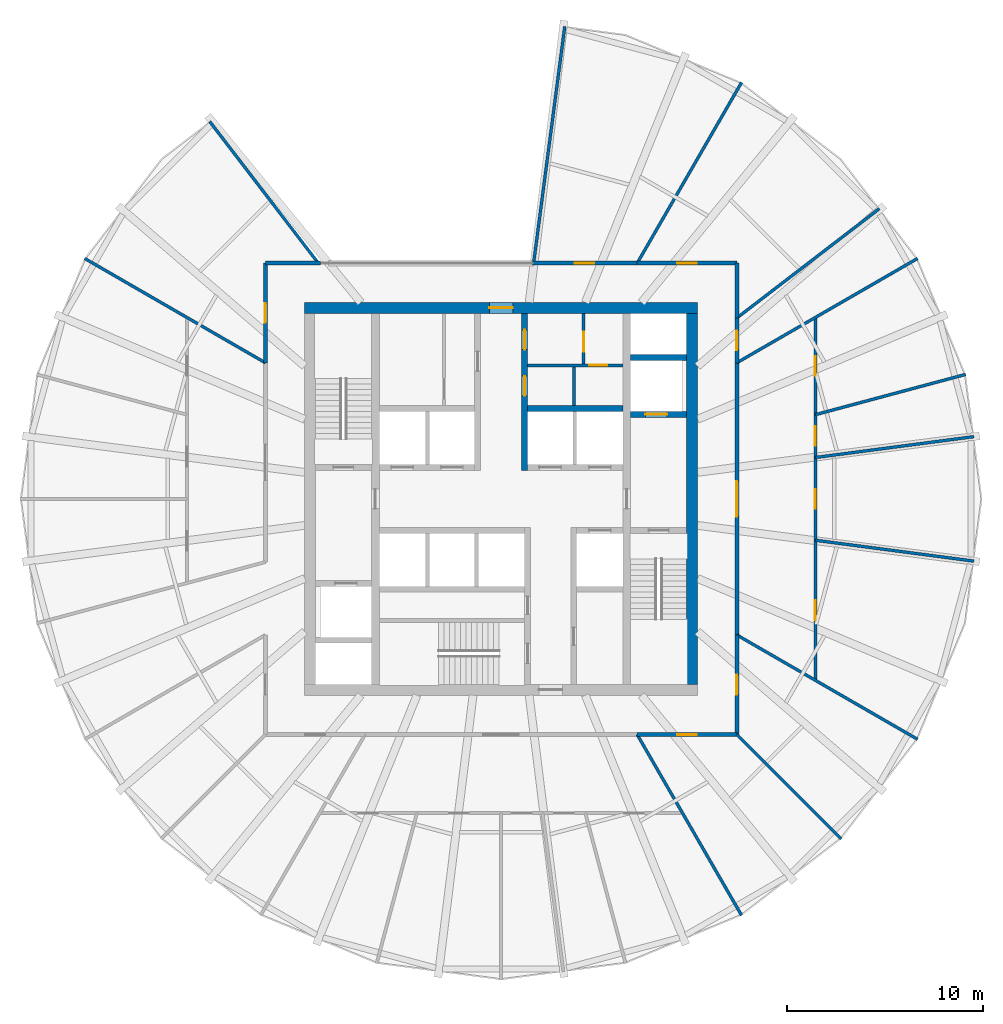
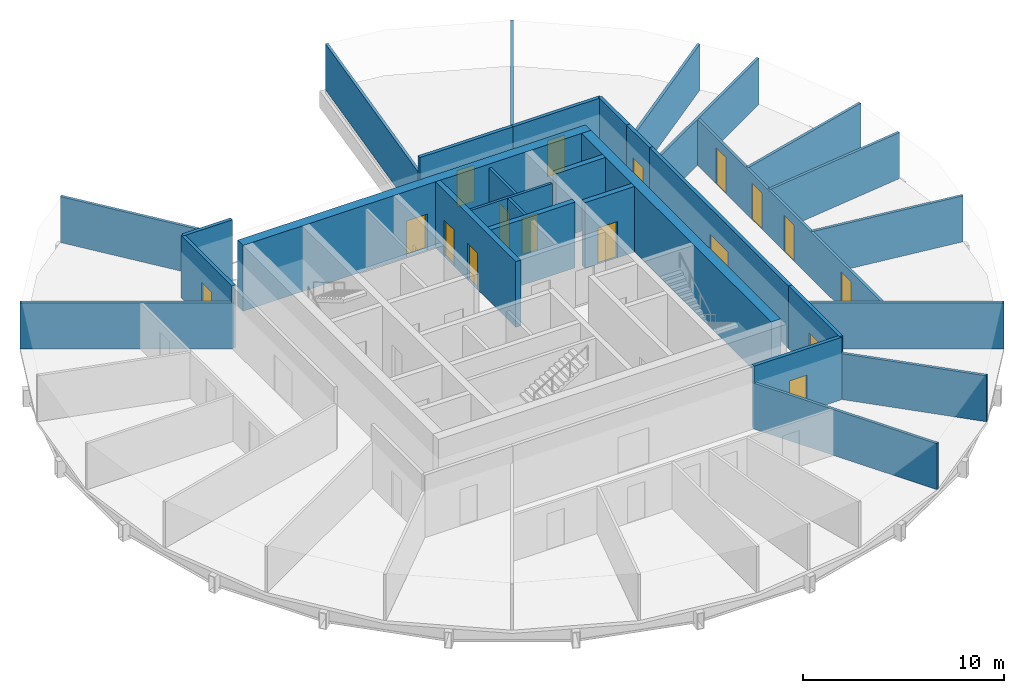
# One storey, part 4 of 6: 31 walls, 17 doors, 17 openings.
"""IFC4 building model written with IfcOpenShell, lengths in metres."""

from ifc_helpers import new_model, si_unit, direction, frame, frame_2d, origin, place, context, subcontext, project, spatial, rectangle, extrude, material, layer, layer_set, type_object, element, fill, save


model = new_model("IFC4")

# Units and contexts
model_context = context("Model", 3, precision=1e-05, world=origin(), true_north=direction((0.0, 1.0)))
body_context = subcontext(model_context, "Body", "Model", "MODEL_VIEW")
ifc_project = project(units=[si_unit("LENGTHUNIT", "METRE"), si_unit("AREAUNIT", "SQUARE_METRE"), si_unit("VOLUMEUNIT", "CUBIC_METRE"), si_unit("PLANEANGLEUNIT", "RADIAN"), si_unit("MASSUNIT", "GRAM", prefix="KILO")], contexts=[model_context])

# Site, building, storey
site_placement = place(None, origin())
site = spatial("IfcSite", under=ifc_project, at=site_placement, CompositionType="ELEMENT")
building_placement = place(site_placement, origin())
building = spatial("IfcBuilding", under=site, at=building_placement, Name="Golbaran Civic Tower", CompositionType="ELEMENT")
storey_placement = place(building_placement, frame((0.0, 0.0, 110.0)))
storey = spatial("IfcBuildingStorey", under=building, at=storey_placement, Name="L26", CompositionType="ELEMENT", Elevation=110.0)

# Wall, opening, door
ifc_material_1 = material(Name="Concrete block", Category="concrete")
ifc_layer_1 = layer(ifc_material_1, 0.14990234375, Name="Concrete block")
ifc_layer_set_1 = layer_set([ifc_layer_1], Name="Concrete block")
wall_type_1 = type_object("IfcWallType", Name="BLOCKWORK PARTITION 150", PredefinedType="PARTITIONING", material=ifc_layer_set_1)
wall_1_placement = place(storey_placement, frame((1.35009765625, 6.800048828125, 0.0), z_axis=(0.0, 0.0, 1.0), x_axis=(1.0, 0.0, 0.0)))
wall_1 = element("IfcWall", 1, at=wall_1_placement, inside=storey, type_object=wall_type_1, Name="Toilet block partition TN1 L26", PredefinedType="PARTITIONING", context=body_context, shape_type="SweptSolid", body=[
    extrude(rectangle(XDim=4.849853515625, YDim=0.14990234375, at=frame_2d((2.4248046875, 0.0))), origin(), (0.0, 0.0, 1.0), 3.75),
])
opening_1_placement = place(wall_1_placement, frame((3.14990234375, 0.0, 0.0)))
opening_1 = element("IfcOpeningElement", 2, at=opening_1_placement, cuts=wall_1, Name="Opening L26.CLN", PredefinedType="OPENING", context=body_context, shape_type="SweptSolid", body=[
    extrude(rectangle(XDim=0.89990234375, YDim=2.199951171875, at=frame_2d((0.449951171875, 1.10009765625))), frame((0.0, 0.0849609375, 0.0), z_axis=(0.0, -1.0, 0.0), x_axis=(1.0, 0.0, 0.0)), (0.0, 0.0, 1.0), 0.169921875),
])
ifc_material_2 = material(Name="Timber door set in steel frame", Category="steel")
door_type_1 = type_object("IfcDoorType", Name="RISER DOOR 900x2200", OperationType="SINGLE_SWING_LEFT", PredefinedType="DOOR", material=ifc_material_2)
door_1_placement = place(opening_1_placement, origin())
door_1 = element("IfcDoor", 3, at=door_1_placement, inside=storey, type_object=door_type_1, Name="Sanitary Supplies Store door", OperationType="SINGLE_SWING_RIGHT", OverallHeight=2.199951171875, OverallWidth=0.89990234375, PredefinedType="DOOR", context=body_context, shape_type="SweptSolid", body=[
    extrude(rectangle(XDim=0.89990234375, YDim=2.199951171875, at=frame_2d((0.449951171875, 1.10009765625))), frame((0.0, 0.02490234375, 0.0), z_axis=(0.0, -1.0, 0.0), x_axis=(1.0, 0.0, 0.0)), (0.0, 0.0, 1.0), 0.050048828125),
])
fill(opening_1, door_1)

# Wall
wall_2_placement = place(storey_placement, frame((3.699951171875, 4.75, 0.0), z_axis=(0.0, 0.0, 1.0), x_axis=(0.0, 1.0, 0.0)))
element("IfcWall", 4, at=wall_2_placement, inside=storey, type_object=wall_type_1, Name="Toilet block partition TN2 L26", PredefinedType="PARTITIONING", context=body_context, shape_type="SweptSolid", body=[
    extrude(rectangle(XDim=1.97509765625, YDim=0.14990234375, at=frame_2d((0.987548828125, 0.0))), origin(), (0.0, 0.0, 1.0), 3.75),
])

# Wall, opening, door
ifc_material_3 = material(Name="Concrete C50/60", Category="concrete")
ifc_layer_2 = layer(ifc_material_3, 0.550048828125, Name="Concrete C50/60")
ifc_layer_set_2 = layer_set([ifc_layer_2], Name="Concrete C50/60")
wall_type_2 = type_object("IfcWallType", Name="CORE WALL CONCRETE 550", PredefinedType="SOLIDWALL", material=ifc_layer_set_2)
wall_3_placement = place(storey_placement, frame((-10.0, 9.72509765625, 0.0), z_axis=(0.0, 0.0, 1.0), x_axis=(1.0, 0.0, 0.0)))
wall_3 = element("IfcWall", 5, at=wall_3_placement, inside=storey, type_object=wall_type_2, Name="Core wall CN L26", PredefinedType="SOLIDWALL", context=body_context, shape_type="SweptSolid", body=[
    extrude(rectangle(XDim=20.0, YDim=0.550048828125, at=frame_2d((10.0, 0.0))), origin(), (0.0, 0.0, 1.0), 4.0),
])
opening_2_placement = place(wall_3_placement, frame((9.39990234375, 0.0, 0.0)))
opening_2 = element("IfcOpeningElement", 6, at=opening_2_placement, cuts=wall_3, Name="Opening L26.CN", PredefinedType="OPENING", context=body_context, shape_type="SweptSolid", body=[
    extrude(rectangle(XDim=1.199951171875, YDim=2.199951171875, at=frame_2d((0.60009765625, 1.10009765625))), frame((0.0, 0.284912109375, 0.0), z_axis=(0.0, -1.0, 0.0), x_axis=(1.0, 0.0, 0.0)), (0.0, 0.0, 1.0), 0.570068359375),
])
door_type_2 = type_object("IfcDoorType", Name="CORE DOOR 1200x2200", OperationType="DOUBLE_DOOR_SINGLE_SWING", PredefinedType="DOOR", material=ifc_material_2)
door_2_placement = place(opening_2_placement, origin())
door_2 = element("IfcDoor", 7, at=door_2_placement, inside=storey, type_object=door_type_2, Name="Core door north", OperationType="DOUBLE_DOOR_SINGLE_SWING", OverallHeight=2.199951171875, OverallWidth=1.199951171875, PredefinedType="DOOR", context=body_context, shape_type="SweptSolid", body=[
    extrude(rectangle(XDim=1.199951171875, YDim=2.199951171875, at=frame_2d((0.60009765625, 1.10009765625))), frame((0.0, 0.02490234375, 0.0), z_axis=(0.0, -1.0, 0.0), x_axis=(1.0, 0.0, 0.0)), (0.0, 0.0, 1.0), 0.050048828125),
])
fill(opening_2, door_2)

# Wall
wall_4_placement = place(storey_placement, frame((9.72509765625, -9.449951171875, 0.0), z_axis=(0.0, 0.0, 1.0), x_axis=(0.0, 1.0, 0.0)))
element("IfcWall", 8, at=wall_4_placement, inside=storey, type_object=wall_type_2, Name="Core wall CE L26", PredefinedType="SOLIDWALL", context=body_context, shape_type="SweptSolid", body=[
    extrude(rectangle(XDim=18.89990234375, YDim=0.550048828125, at=frame_2d((9.449951171875, 0.0))), origin(), (0.0, 0.0, 1.0), 4.0),
])

# Wall, opening, door
ifc_material_4 = material(Name="Gypsum board on steel studs, fire-rated", Category="steel")
ifc_layer_3 = layer(ifc_material_4, 0.199951171875, Name="Gypsum board on steel studs, fire-rated")
ifc_layer_set_3 = layer_set([ifc_layer_3], Name="Gypsum board on steel studs, fire-rated")
wall_type_3 = type_object("IfcWallType", Name="CORRIDOR WALL 200", PredefinedType="PARTITIONING", material=ifc_layer_set_3)
wall_5_placement = place(storey_placement, frame((12.0, -6.92822265625, 0.0), z_axis=(0.0, 0.0, 1.0), x_axis=(0.0, 1.0, 0.0)))
wall_5 = element("IfcWall", 9, at=wall_5_placement, inside=storey, type_object=wall_type_3, Name="Corridor wall L26", PredefinedType="PARTITIONING", context=body_context, shape_type="SweptSolid", body=[
    extrude(rectangle(XDim=13.8564453125, YDim=0.199951171875, at=frame_2d((6.92822265625, 0.0))), origin(), (0.0, 0.0, 1.0), 3.800048828125),
])
opening_3_placement = place(wall_5_placement, frame((6.0283203125, 0.0, 0.0)))
opening_3 = element("IfcOpeningElement", 10, at=opening_3_placement, cuts=wall_5, Name="Opening L26.14", PredefinedType="OPENING", context=body_context, shape_type="SweptSolid", body=[
    extrude(rectangle(XDim=1.800048828125, YDim=2.199951171875, at=frame_2d((0.89990234375, 1.10009765625))), frame((0.0, 0.10986328125, 0.0), z_axis=(0.0, -1.0, 0.0), x_axis=(1.0, 0.0, 0.0)), (0.0, 0.0, 1.0), 0.219970703125),
])
door_type_3 = type_object("IfcDoorType", Name="OFFICE DOUBLE DOOR 1800x2200", OperationType="DOUBLE_DOOR_SINGLE_SWING", PredefinedType="DOOR", material=ifc_material_2)
door_3_placement = place(opening_3_placement, origin())
door_3 = element("IfcDoor", 11, at=door_3_placement, inside=storey, type_object=door_type_3, Name="Secretariat door L26", OperationType="DOUBLE_DOOR_SINGLE_SWING", OverallHeight=2.199951171875, OverallWidth=1.800048828125, PredefinedType="DOOR", context=body_context, shape_type="SweptSolid", body=[
    extrude(rectangle(XDim=1.800048828125, YDim=2.199951171875, at=frame_2d((0.89990234375, 1.10009765625))), frame((0.0, 0.02490234375, 0.0), z_axis=(0.0, -1.0, 0.0), x_axis=(1.0, 0.0, 0.0)), (0.0, 0.0, 1.0), 0.050048828125),
])
fill(opening_3, door_3)

wall_6_placement = place(storey_placement, frame((12.0, 6.92822265625, 0.0), z_axis=(0.0, 0.0, 1.0), x_axis=(0.0, 1.0, 0.0)))
wall_6 = element("IfcWall", 12, at=wall_6_placement, inside=storey, type_object=wall_type_3, Name="Corridor wall L26", PredefinedType="PARTITIONING", context=body_context, shape_type="SweptSolid", body=[
    extrude(rectangle(XDim=2.27978515625, YDim=0.199951171875, at=frame_2d((1.139892578125, 0.0))), origin(), (0.0, 0.0, 1.0), 3.800048828125),
])
opening_4_placement = place(wall_6_placement, frame((0.639892578125, 0.0, 0.0)))
opening_4 = element("IfcOpeningElement", 13, at=opening_4_placement, cuts=wall_6, Name="Opening L26.15", PredefinedType="OPENING", context=body_context, shape_type="SweptSolid", body=[
    extrude(rectangle(XDim=1.0, YDim=2.199951171875, at=frame_2d((0.5, 1.10009765625))), frame((0.0, 0.10986328125, 0.0), z_axis=(0.0, -1.0, 0.0), x_axis=(1.0, 0.0, 0.0)), (0.0, 0.0, 1.0), 0.219970703125),
])
door_type_4 = type_object("IfcDoorType", Name="OFFICE DOOR 1000x2200", OperationType="SINGLE_SWING_LEFT", PredefinedType="DOOR", material=ifc_material_2)
door_4_placement = place(opening_4_placement, origin())
door_4 = element("IfcDoor", 14, at=door_4_placement, inside=storey, type_object=door_type_4, Name="Pantry door L26", OperationType="SINGLE_SWING_LEFT", OverallHeight=2.199951171875, OverallWidth=1.0, PredefinedType="DOOR", context=body_context, shape_type="SweptSolid", body=[
    extrude(rectangle(XDim=1.0, YDim=2.199951171875, at=frame_2d((0.5, 1.10009765625))), frame((0.0, 0.02490234375, 0.0), z_axis=(0.0, -1.0, 0.0), x_axis=(1.0, 0.0, 0.0)), (0.0, 0.0, 1.0), 0.050048828125),
])
fill(opening_4, door_4)

# Wall
wall_7_placement = place(storey_placement, frame((12.0, 9.2080078125, 0.0), z_axis=(0.0, 0.0, 1.0), x_axis=(0.0, 1.0, 0.0)))
element("IfcWall", 15, at=wall_7_placement, inside=storey, type_object=wall_type_3, Name="Corridor wall L26", PredefinedType="PARTITIONING", context=body_context, shape_type="SweptSolid", body=[
    extrude(rectangle(XDim=2.7919921875, YDim=0.199951171875, at=frame_2d((1.39599609375, 0.0))), origin(), (0.0, 0.0, 1.0), 3.800048828125),
])

# Wall, opening, door
wall_8_placement = place(storey_placement, frame((12.0, 12.0, 0.0), z_axis=(0.0, 0.0, 1.0), x_axis=(-1.0, 0.0, 0.0)))
wall_8 = element("IfcWall", 16, at=wall_8_placement, inside=storey, type_object=wall_type_3, Name="Corridor wall L26", PredefinedType="PARTITIONING", context=body_context, shape_type="SweptSolid", body=[
    extrude(rectangle(XDim=5.07177734375, YDim=0.199951171875, at=frame_2d((2.535888671875, 0.0))), origin(), (0.0, 0.0, 1.0), 3.800048828125),
])
opening_5_placement = place(wall_8_placement, frame((2.035888671875, 0.0, 0.0)))
opening_5 = element("IfcOpeningElement", 17, at=opening_5_placement, cuts=wall_8, Name="Opening L26.16", PredefinedType="OPENING", context=body_context, shape_type="SweptSolid", body=[
    extrude(rectangle(XDim=1.0, YDim=2.199951171875, at=frame_2d((0.5, 1.10009765625))), frame((0.0, 0.10986328125, 0.0), z_axis=(0.0, -1.0, 0.0), x_axis=(1.0, 0.0, 0.0)), (0.0, 0.0, 1.0), 0.219970703125),
])
door_5_placement = place(opening_5_placement, origin())
door_5 = element("IfcDoor", 18, at=door_5_placement, inside=storey, type_object=door_type_4, Name="Prayer Room door L26", OperationType="SINGLE_SWING_RIGHT", OverallHeight=2.199951171875, OverallWidth=1.0, PredefinedType="DOOR", context=body_context, shape_type="SweptSolid", body=[
    extrude(rectangle(XDim=1.0, YDim=2.199951171875, at=frame_2d((0.5, 1.10009765625))), frame((0.0, 0.02490234375, 0.0), z_axis=(0.0, -1.0, 0.0), x_axis=(1.0, 0.0, 0.0)), (0.0, 0.0, 1.0), 0.050048828125),
])
fill(opening_5, door_5)

wall_9_placement = place(storey_placement, frame((6.92822265625, 12.0, 0.0), z_axis=(0.0, 0.0, 1.0), x_axis=(-1.0, 0.0, 0.0)))
wall_9 = element("IfcWall", 19, at=wall_9_placement, inside=storey, type_object=wall_type_3, Name="Corridor wall L26", PredefinedType="PARTITIONING", context=body_context, shape_type="SweptSolid", body=[
    extrude(rectangle(XDim=5.348876953125, YDim=0.199951171875, at=frame_2d((2.67431640625, 0.0))), origin(), (0.0, 0.0, 1.0), 3.800048828125),
])
opening_6_placement = place(wall_9_placement, frame((2.17431640625, 0.0, 0.0)))
opening_6 = element("IfcOpeningElement", 20, at=opening_6_placement, cuts=wall_9, Name="Opening L26.17", PredefinedType="OPENING", context=body_context, shape_type="SweptSolid", body=[
    extrude(rectangle(XDim=1.0, YDim=2.199951171875, at=frame_2d((0.5, 1.10009765625))), frame((0.0, 0.10986328125, 0.0), z_axis=(0.0, -1.0, 0.0), x_axis=(1.0, 0.0, 0.0)), (0.0, 0.0, 1.0), 0.219970703125),
])
door_6_placement = place(opening_6_placement, origin())
door_6 = element("IfcDoor", 21, at=door_6_placement, inside=storey, type_object=door_type_4, Name="Meeting Room door L26", OperationType="SINGLE_SWING_RIGHT", OverallHeight=2.199951171875, OverallWidth=1.0, PredefinedType="DOOR", context=body_context, shape_type="SweptSolid", body=[
    extrude(rectangle(XDim=1.0, YDim=2.199951171875, at=frame_2d((0.5, 1.10009765625))), frame((0.0, 0.02490234375, 0.0), z_axis=(0.0, -1.0, 0.0), x_axis=(1.0, 0.0, 0.0)), (0.0, 0.0, 1.0), 0.050048828125),
])
fill(opening_6, door_6)

# Wall
wall_10_placement = place(storey_placement, frame((-9.207275390625, 12.0, 0.0), z_axis=(0.0, 0.0, 1.0), x_axis=(-1.0, 0.0, 0.0)))
element("IfcWall", 22, at=wall_10_placement, inside=storey, type_object=wall_type_3, Name="Corridor wall L26", PredefinedType="PARTITIONING", context=body_context, shape_type="SweptSolid", body=[
    extrude(rectangle(XDim=2.792724609375, YDim=0.199951171875, at=frame_2d((1.396484375, 0.0))), origin(), (0.0, 0.0, 1.0), 3.800048828125),
])

# Wall, opening, door
wall_11_placement = place(storey_placement, frame((-12.0, 12.0, 0.0), z_axis=(0.0, 0.0, 1.0), x_axis=(0.0, -1.0, 0.0)))
wall_11 = element("IfcWall", 23, at=wall_11_placement, inside=storey, type_object=wall_type_3, Name="Corridor wall L26", PredefinedType="PARTITIONING", context=body_context, shape_type="SweptSolid", body=[
    extrude(rectangle(XDim=5.07177734375, YDim=0.199951171875, at=frame_2d((2.535888671875, 0.0))), origin(), (0.0, 0.0, 1.0), 3.800048828125),
])
opening_7_placement = place(wall_11_placement, frame((2.035888671875, 0.0, 0.0)))
opening_7 = element("IfcOpeningElement", 24, at=opening_7_placement, cuts=wall_11, Name="Opening L26.18", PredefinedType="OPENING", context=body_context, shape_type="SweptSolid", body=[
    extrude(rectangle(XDim=1.0, YDim=2.199951171875, at=frame_2d((0.5, 1.10009765625))), frame((0.0, 0.10986328125, 0.0), z_axis=(0.0, -1.0, 0.0), x_axis=(1.0, 0.0, 0.0)), (0.0, 0.0, 1.0), 0.219970703125),
])
door_7_placement = place(opening_7_placement, origin())
door_7 = element("IfcDoor", 25, at=door_7_placement, inside=storey, type_object=door_type_4, Name="Quiet Room door L26", OperationType="SINGLE_SWING_RIGHT", OverallHeight=2.199951171875, OverallWidth=1.0, PredefinedType="DOOR", context=body_context, shape_type="SweptSolid", body=[
    extrude(rectangle(XDim=1.0, YDim=2.199951171875, at=frame_2d((0.5, 1.10009765625))), frame((0.0, 0.02490234375, 0.0), z_axis=(0.0, -1.0, 0.0), x_axis=(1.0, 0.0, 0.0)), (0.0, 0.0, 1.0), 0.050048828125),
])
fill(opening_7, door_7)

wall_12_placement = place(storey_placement, frame((6.92822265625, -12.0, 0.0), z_axis=(0.0, 0.0, 1.0), x_axis=(1.0, 0.0, 0.0)))
wall_12 = element("IfcWall", 26, at=wall_12_placement, inside=storey, type_object=wall_type_3, Name="Corridor wall L26", PredefinedType="PARTITIONING", context=body_context, shape_type="SweptSolid", body=[
    extrude(rectangle(XDim=5.07177734375, YDim=0.199951171875, at=frame_2d((2.535888671875, 0.0))), origin(), (0.0, 0.0, 1.0), 3.800048828125),
])
opening_8_placement = place(wall_12_placement, frame((2.035888671875, 0.0, 0.0)))
opening_8 = element("IfcOpeningElement", 27, at=opening_8_placement, cuts=wall_12, Name="Opening L26.23", PredefinedType="OPENING", context=body_context, shape_type="SweptSolid", body=[
    extrude(rectangle(XDim=1.0, YDim=2.199951171875, at=frame_2d((0.5, 1.10009765625))), frame((0.0, 0.10986328125, 0.0), z_axis=(0.0, -1.0, 0.0), x_axis=(1.0, 0.0, 0.0)), (0.0, 0.0, 1.0), 0.219970703125),
])
door_8_placement = place(opening_8_placement, origin())
door_8 = element("IfcDoor", 28, at=door_8_placement, inside=storey, type_object=door_type_4, Name="Print and Copy Room door L26", OperationType="SINGLE_SWING_LEFT", OverallHeight=2.199951171875, OverallWidth=1.0, PredefinedType="DOOR", context=body_context, shape_type="SweptSolid", body=[
    extrude(rectangle(XDim=1.0, YDim=2.199951171875, at=frame_2d((0.5, 1.10009765625))), frame((0.0, 0.02490234375, 0.0), z_axis=(0.0, -1.0, 0.0), x_axis=(1.0, 0.0, 0.0)), (0.0, 0.0, 1.0), 0.050048828125),
])
fill(opening_8, door_8)

wall_13_placement = place(storey_placement, frame((12.0, -12.0, 0.0), z_axis=(0.0, 0.0, 1.0), x_axis=(0.0, 1.0, 0.0)))
wall_13 = element("IfcWall", 29, at=wall_13_placement, inside=storey, type_object=wall_type_3, Name="Corridor wall L26", PredefinedType="PARTITIONING", context=body_context, shape_type="SweptSolid", body=[
    extrude(rectangle(XDim=5.07177734375, YDim=0.199951171875, at=frame_2d((2.535888671875, 0.0))), origin(), (0.0, 0.0, 1.0), 3.800048828125),
])
opening_9_placement = place(wall_13_placement, frame((2.035888671875, 0.0, 0.0)))
opening_9 = element("IfcOpeningElement", 30, at=opening_9_placement, cuts=wall_13, Name="Opening L26.24", PredefinedType="OPENING", context=body_context, shape_type="SweptSolid", body=[
    extrude(rectangle(XDim=1.0, YDim=2.199951171875, at=frame_2d((0.5, 1.10009765625))), frame((0.0, 0.10986328125, 0.0), z_axis=(0.0, -1.0, 0.0), x_axis=(1.0, 0.0, 0.0)), (0.0, 0.0, 1.0), 0.219970703125),
])
door_9_placement = place(opening_9_placement, origin())
door_9 = element("IfcDoor", 31, at=door_9_placement, inside=storey, type_object=door_type_4, Name="File Room door L26", OperationType="SINGLE_SWING_LEFT", OverallHeight=2.199951171875, OverallWidth=1.0, PredefinedType="DOOR", context=body_context, shape_type="SweptSolid", body=[
    extrude(rectangle(XDim=1.0, YDim=2.199951171875, at=frame_2d((0.5, 1.10009765625))), frame((0.0, 0.02490234375, 0.0), z_axis=(0.0, -1.0, 0.0), x_axis=(1.0, 0.0, 0.0)), (0.0, 0.0, 1.0), 0.050048828125),
])
fill(opening_9, door_9)

# Walls
ifc_material_5 = material(Name="Gypsum board on steel studs", Category="steel")
ifc_layer_4 = layer(ifc_material_5, 0.14990234375, Name="Gypsum board on steel studs")
ifc_layer_set_4 = layer_set([ifc_layer_4], Name="Gypsum board on steel studs")
wall_type_4 = type_object("IfcWallType", Name="OFFICE PARTITION 150", PredefinedType="PARTITIONING", material=ifc_layer_set_4)
for number, where, z_axis, x_axis, name in (
    (32, (12.0, -6.92822265625, 0.0), (0.0, 0.0, 1.0), (0.866024197053, -0.500002090115, 0.0), "Partition 330 L26"),
    (33, (12.0, 6.92822265625, 0.0), (0.0, 0.0, 1.0), (0.866024197053, 0.500002090115, 0.0), "Partition 30 L26"),
):
    element("IfcWall", number, at=place(storey_placement, frame(where, z_axis=z_axis, x_axis=x_axis)), inside=storey, type_object=wall_type_4, Name=name, PredefinedType="PARTITIONING", context=body_context, shape_type="SweptSolid", body=[
        extrude(rectangle(XDim=10.630859375, YDim=0.14990234375, at=frame_2d((5.3154296875, 0.0))), origin(), (0.0, 0.0, 1.0), 2.7900390625),
    ])
wall_14_placement = place(storey_placement, frame((12.0, 9.2080078125, 0.0), z_axis=(0.0, 0.0, 1.0), x_axis=(0.793357264949, 0.608756314261, 0.0)))
element("IfcWall", 34, at=wall_14_placement, inside=storey, type_object=wall_type_4, Name="Partition 37.5 L26", PredefinedType="PARTITIONING", context=body_context, shape_type="SweptSolid", body=[
    extrude(rectangle(XDim=9.15185546875, YDim=0.14990234375, at=frame_2d((4.575927734375, 0.0))), origin(), (0.0, 0.0, 1.0), 2.7900390625),
])
wall_15_placement = place(storey_placement, frame((6.92822265625, 12.0, 0.0), z_axis=(0.0, 0.0, 1.0), x_axis=(0.500002090115, 0.866024197053, 0.0)))
element("IfcWall", 35, at=wall_15_placement, inside=storey, type_object=wall_type_4, Name="Partition 60 L26", PredefinedType="PARTITIONING", context=body_context, shape_type="SweptSolid", body=[
    extrude(rectangle(XDim=10.630859375, YDim=0.14990234375, at=frame_2d((5.3154296875, 0.0))), origin(), (0.0, 0.0, 1.0), 2.7900390625),
])
wall_16_placement = place(storey_placement, frame((1.65380859375, 11.990234375, 0.0), z_axis=(0.0, 0.0, 1.0), x_axis=(0.130491344121, 0.99144944859, 0.0)))
element("IfcWall", 36, at=wall_16_placement, inside=storey, type_object=wall_type_4, Name="Partition 82.5018 L26", PredefinedType="PARTITIONING", context=body_context, shape_type="SweptSolid", body=[
    extrude(rectangle(XDim=12.174072265625, YDim=0.14990234375, at=frame_2d((6.0869140625, 0.0))), origin(), (0.0, 0.0, 1.0), 2.7900390625),
])
wall_17_placement = place(storey_placement, frame((-9.266845703125, 11.954345703125, 0.0), z_axis=(0.0, 0.0, 1.0), x_axis=(-0.60873054766, 0.793377035429, 0.0)))
element("IfcWall", 37, at=wall_17_placement, inside=storey, type_object=wall_type_4, Name="Partition 127.498 L26", PredefinedType="PARTITIONING", context=body_context, shape_type="SweptSolid", body=[
    extrude(rectangle(XDim=9.15234375, YDim=0.14990234375, at=frame_2d((4.576171875, 0.0))), origin(), (0.0, 0.0, 1.0), 2.7900390625),
])
for number, where, z_axis, x_axis, name in (
    (38, (-12.0, 6.92822265625, 0.0), (0.0, 0.0, 1.0), (-0.866024197053, 0.500002090115, 0.0), "Partition 150 L26"),
    (39, (6.92822265625, -12.0, 0.0), (0.0, 0.0, 1.0), (0.500002090115, -0.866024197053, 0.0), "Partition 300 L26"),
):
    element("IfcWall", number, at=place(storey_placement, frame(where, z_axis=z_axis, x_axis=x_axis)), inside=storey, type_object=wall_type_4, Name=name, PredefinedType="PARTITIONING", context=body_context, shape_type="SweptSolid", body=[
        extrude(rectangle(XDim=10.630859375, YDim=0.14990234375, at=frame_2d((5.3154296875, 0.0))), origin(), (0.0, 0.0, 1.0), 2.7900390625),
    ])
wall_18_placement = place(storey_placement, frame((12.0, -12.0, 0.0), z_axis=(0.0, 0.0, 1.0), x_axis=(0.707106781187, -0.707106781187, 0.0)))
element("IfcWall", 40, at=wall_18_placement, inside=storey, type_object=wall_type_4, Name="Partition 315 L26", PredefinedType="PARTITIONING", context=body_context, shape_type="SweptSolid", body=[
    extrude(rectangle(XDim=7.516845703125, YDim=0.14990234375, at=frame_2d((3.75830078125, 0.0))), origin(), (0.0, 0.0, 1.0), 2.7900390625),
])

# Wall, openings, doors
wall_19_placement = place(storey_placement, frame((16.0, -9.237548828125, 0.0), z_axis=(0.0, 0.0, 1.0), x_axis=(0.0, 1.0, 0.0)))
wall_19 = element("IfcWall", 41, at=wall_19_placement, inside=storey, type_object=wall_type_4, Name="Suite partition L26", PredefinedType="PARTITIONING", context=body_context, shape_type="SweptSolid", body=[
    extrude(rectangle(XDim=18.47509765625, YDim=0.14990234375, at=frame_2d((9.237548828125, 0.0))), origin(), (0.0, 0.0, 1.0), 2.7900390625),
])
opening_10_placement = place(wall_19_placement, frame((3.065673828125, 0.0, 0.0)))
opening_10 = element("IfcOpeningElement", 42, at=opening_10_placement, cuts=wall_19, Name="Opening L26.01", PredefinedType="OPENING", context=body_context, shape_type="SweptSolid", body=[
    extrude(rectangle(XDim=1.0, YDim=2.199951171875, at=frame_2d((0.5, 1.10009765625))), frame((0.0, 0.0849609375, 0.0), z_axis=(0.0, -1.0, 0.0), x_axis=(1.0, 0.0, 0.0)), (0.0, 0.0, 1.0), 0.169921875),
])
opening_11_placement = place(wall_19_placement, frame((8.737548828125, 0.0, 0.0)))
opening_11 = element("IfcOpeningElement", 43, at=opening_11_placement, cuts=wall_19, Name="Opening L26.02", PredefinedType="OPENING", context=body_context, shape_type="SweptSolid", body=[
    extrude(rectangle(XDim=1.0, YDim=2.199951171875, at=frame_2d((0.5, 1.10009765625))), frame((0.0, 0.0849609375, 0.0), z_axis=(0.0, -1.0, 0.0), x_axis=(1.0, 0.0, 0.0)), (0.0, 0.0, 1.0), 0.169921875),
])
opening_12_placement = place(wall_19_placement, frame((11.934326171875, 0.0, 0.0)))
opening_12 = element("IfcOpeningElement", 44, at=opening_12_placement, cuts=wall_19, Name="Opening L26.03", PredefinedType="OPENING", context=body_context, shape_type="SweptSolid", body=[
    extrude(rectangle(XDim=1.0, YDim=2.199951171875, at=frame_2d((0.5, 1.10009765625))), frame((0.0, 0.0849609375, 0.0), z_axis=(0.0, -1.0, 0.0), x_axis=(1.0, 0.0, 0.0)), (0.0, 0.0, 1.0), 0.169921875),
])
opening_13_placement = place(wall_19_placement, frame((15.5, 0.0, 0.0)))
opening_13 = element("IfcOpeningElement", 45, at=opening_13_placement, cuts=wall_19, Name="Opening L26.04", PredefinedType="OPENING", context=body_context, shape_type="SweptSolid", body=[
    extrude(rectangle(XDim=1.0, YDim=2.199951171875, at=frame_2d((0.5, 1.10009765625))), frame((0.0, 0.0849609375, 0.0), z_axis=(0.0, -1.0, 0.0), x_axis=(1.0, 0.0, 0.0)), (0.0, 0.0, 1.0), 0.169921875),
])
door_10_placement = place(opening_10_placement, origin())
door_10 = element("IfcDoor", 46, at=door_10_placement, inside=storey, type_object=door_type_4, Name="Director's Office door L26", OperationType="SINGLE_SWING_LEFT", OverallHeight=2.199951171875, OverallWidth=1.0, PredefinedType="DOOR", context=body_context, shape_type="SweptSolid", body=[
    extrude(rectangle(XDim=1.0, YDim=2.199951171875, at=frame_2d((0.5, 1.10009765625))), frame((0.0, 0.02490234375, 0.0), z_axis=(0.0, -1.0, 0.0), x_axis=(1.0, 0.0, 0.0)), (0.0, 0.0, 1.0), 0.050048828125),
])
fill(opening_10, door_10)
door_11_placement = place(opening_11_placement, origin())
door_11 = element("IfcDoor", 47, at=door_11_placement, inside=storey, type_object=door_type_4, Name="Director's Office door L26", OperationType="SINGLE_SWING_LEFT", OverallHeight=2.199951171875, OverallWidth=1.0, PredefinedType="DOOR", context=body_context, shape_type="SweptSolid", body=[
    extrude(rectangle(XDim=1.0, YDim=2.199951171875, at=frame_2d((0.5, 1.10009765625))), frame((0.0, 0.02490234375, 0.0), z_axis=(0.0, -1.0, 0.0), x_axis=(1.0, 0.0, 0.0)), (0.0, 0.0, 1.0), 0.050048828125),
])
fill(opening_11, door_11)
door_12_placement = place(opening_12_placement, origin())
door_12 = element("IfcDoor", 48, at=door_12_placement, inside=storey, type_object=door_type_4, Name="Office door L26", OperationType="SINGLE_SWING_RIGHT", OverallHeight=2.199951171875, OverallWidth=1.0, PredefinedType="DOOR", context=body_context, shape_type="SweptSolid", body=[
    extrude(rectangle(XDim=1.0, YDim=2.199951171875, at=frame_2d((0.5, 1.10009765625))), frame((0.0, 0.02490234375, 0.0), z_axis=(0.0, -1.0, 0.0), x_axis=(1.0, 0.0, 0.0)), (0.0, 0.0, 1.0), 0.050048828125),
])
fill(opening_12, door_12)
door_13_placement = place(opening_13_placement, origin())
door_13 = element("IfcDoor", 49, at=door_13_placement, inside=storey, type_object=door_type_4, Name="Office door L26", OperationType="SINGLE_SWING_RIGHT", OverallHeight=2.199951171875, OverallWidth=1.0, PredefinedType="DOOR", context=body_context, shape_type="SweptSolid", body=[
    extrude(rectangle(XDim=1.0, YDim=2.199951171875, at=frame_2d((0.5, 1.10009765625))), frame((0.0, 0.02490234375, 0.0), z_axis=(0.0, -1.0, 0.0), x_axis=(1.0, 0.0, 0.0)), (0.0, 0.0, 1.0), 0.050048828125),
])
fill(opening_13, door_13)

# Walls
for number, where, z_axis, x_axis, name in (
    (50, (16.0, -2.1064453125, 0.0), (0.0, 0.0, 1.0), (0.99144398145, -0.13053287573, 0.0), "Partition 352.5 L26"),
    (51, (16.0, 2.1064453125, 0.0), (0.0, 0.0, 1.0), (0.99144398145, 0.13053287573, 0.0), "Partition 7.5 L26"),
):
    element("IfcWall", number, at=place(storey_placement, frame(where, z_axis=z_axis, x_axis=x_axis)), inside=storey, type_object=wall_type_4, Name=name, PredefinedType="PARTITIONING", context=body_context, shape_type="SweptSolid", body=[
        extrude(rectangle(XDim=8.1396484375, YDim=0.14990234375, at=frame_2d((4.06982421875, 0.0))), origin(), (0.0, 0.0, 1.0), 2.7900390625),
    ])
wall_20_placement = place(storey_placement, frame((16.0, 4.287109375, 0.0), z_axis=(0.0, 0.0, 1.0), x_axis=(0.965926869261, 0.258815152648, 0.0)))
element("IfcWall", 52, at=wall_20_placement, inside=storey, type_object=wall_type_4, Name="Partition 15 L26", PredefinedType="PARTITIONING", context=body_context, shape_type="SweptSolid", body=[
    extrude(rectangle(XDim=7.9228515625, YDim=0.14990234375, at=frame_2d((3.96142578125, 0.0))), origin(), (0.0, 0.0, 1.0), 2.7900390625),
])
ifc_layer_5 = layer(ifc_material_3, 0.300048828125, Name="Concrete C50/60")
ifc_layer_set_5 = layer_set([ifc_layer_5], Name="Concrete C50/60")
wall_type_5 = type_object("IfcWallType", Name="SHAFT WALL CONCRETE 300", PredefinedType="SOLIDWALL", material=ifc_layer_set_5)
wall_21_placement = place(storey_placement, frame((1.35009765625, 4.60009765625, 0.0), z_axis=(0.0, 0.0, 1.0), x_axis=(1.0, 0.0, 0.0)))
element("IfcWall", 53, at=wall_21_placement, inside=storey, type_object=wall_type_5, Name="Core wall BNE L26", PredefinedType="SOLIDWALL", context=body_context, shape_type="SweptSolid", body=[
    extrude(rectangle(XDim=4.849853515625, YDim=0.300048828125, at=frame_2d((2.4248046875, 0.0))), origin(), (0.0, 0.0, 1.0), 4.0),
])

# Wall, openings, doors
wall_22_placement = place(storey_placement, frame((1.199951171875, 1.449951171875, 0.0), z_axis=(0.0, 0.0, 1.0), x_axis=(0.0, 1.0, 0.0)))
wall_22 = element("IfcWall", 54, at=wall_22_placement, inside=storey, type_object=wall_type_5, Name="Core wall PNE L26", PredefinedType="SOLIDWALL", context=body_context, shape_type="SweptSolid", body=[
    extrude(rectangle(XDim=8.0, YDim=0.300048828125, at=frame_2d((4.0, 0.0))), origin(), (0.0, 0.0, 1.0), 4.0),
])
opening_14_placement = place(wall_22_placement, frame((3.800048828125, 0.0, 0.0)))
opening_14 = element("IfcOpeningElement", 55, at=opening_14_placement, cuts=wall_22, Name="Opening L26.WCA", PredefinedType="OPENING", context=body_context, shape_type="SweptSolid", body=[
    extrude(rectangle(XDim=1.0, YDim=2.199951171875, at=frame_2d((0.5, 1.10009765625))), frame((0.0, 0.159912109375, 0.0), z_axis=(0.0, -1.0, 0.0), x_axis=(1.0, 0.0, 0.0)), (0.0, 0.0, 1.0), 0.320068359375),
])
opening_15_placement = place(wall_22_placement, frame((6.14990234375, 0.0, 0.0)))
opening_15 = element("IfcOpeningElement", 56, at=opening_15_placement, cuts=wall_22, Name="Opening L26.WCF", PredefinedType="OPENING", context=body_context, shape_type="SweptSolid", body=[
    extrude(rectangle(XDim=1.0, YDim=2.199951171875, at=frame_2d((0.5, 1.10009765625))), frame((0.0, 0.159912109375, 0.0), z_axis=(0.0, -1.0, 0.0), x_axis=(1.0, 0.0, 0.0)), (0.0, 0.0, 1.0), 0.320068359375),
])
door_type_5 = type_object("IfcDoorType", Name="TOILET DOOR 1000x2200", OperationType="SINGLE_SWING_LEFT", PredefinedType="DOOR", material=ifc_material_2)
door_14_placement = place(opening_14_placement, origin())
door_14 = element("IfcDoor", 57, at=door_14_placement, inside=storey, type_object=door_type_5, Name="Accessible WC door", OperationType="SINGLE_SWING_RIGHT", OverallHeight=2.199951171875, OverallWidth=1.0, PredefinedType="DOOR", context=body_context, shape_type="SweptSolid", body=[
    extrude(rectangle(XDim=1.0, YDim=2.199951171875, at=frame_2d((0.5, 1.10009765625))), frame((0.0, 0.02490234375, 0.0), z_axis=(0.0, -1.0, 0.0), x_axis=(1.0, 0.0, 0.0)), (0.0, 0.0, 1.0), 0.050048828125),
])
fill(opening_14, door_14)
door_15_placement = place(opening_15_placement, origin())
door_15 = element("IfcDoor", 58, at=door_15_placement, inside=storey, type_object=door_type_5, Name="North-east toilet block door", OperationType="SINGLE_SWING_RIGHT", OverallHeight=2.199951171875, OverallWidth=1.0, PredefinedType="DOOR", context=body_context, shape_type="SweptSolid", body=[
    extrude(rectangle(XDim=1.0, YDim=2.199951171875, at=frame_2d((0.5, 1.10009765625))), frame((0.0, 0.02490234375, 0.0), z_axis=(0.0, -1.0, 0.0), x_axis=(1.0, 0.0, 0.0)), (0.0, 0.0, 1.0), 0.050048828125),
])
fill(opening_15, door_15)

# Wall, opening, door
wall_23_placement = place(storey_placement, frame((6.60009765625, 4.300048828125, 0.0), z_axis=(0.0, 0.0, 1.0), x_axis=(1.0, 0.0, 0.0)))
wall_23 = element("IfcWall", 59, at=wall_23_placement, inside=storey, type_object=wall_type_5, Name="Core wall XE2 L26", PredefinedType="SOLIDWALL", context=body_context, shape_type="SweptSolid", body=[
    extrude(rectangle(XDim=2.849853515625, YDim=0.300048828125, at=frame_2d((1.4248046875, 0.0))), origin(), (0.0, 0.0, 1.0), 4.0),
])
opening_16_placement = place(wall_23_placement, frame((0.75, 0.0, 0.0)))
opening_16 = element("IfcOpeningElement", 60, at=opening_16_placement, cuts=wall_23, Name="Opening L26.LD-F2", PredefinedType="OPENING", context=body_context, shape_type="SweptSolid", body=[
    extrude(rectangle(XDim=1.10009765625, YDim=2.199951171875, at=frame_2d((0.550048828125, 1.10009765625))), frame((0.0, 0.159912109375, 0.0), z_axis=(0.0, -1.0, 0.0), x_axis=(1.0, 0.0, 0.0)), (0.0, 0.0, 1.0), 0.320068359375),
])
ifc_material_6 = material(Name="Stainless steel", Category="steel")
door_type_6 = type_object("IfcDoorType", Name="LIFT LANDING DOOR 1100x2200", OperationType="SLIDING_TO_LEFT", PredefinedType="DOOR", material=ifc_material_6)
door_16_placement = place(opening_16_placement, origin())
door_16 = element("IfcDoor", 61, at=door_16_placement, inside=storey, type_object=door_type_6, Name="Lift landing door F2", OperationType="SLIDING_TO_LEFT", OverallHeight=2.199951171875, OverallWidth=1.10009765625, PredefinedType="DOOR", context=body_context, shape_type="SweptSolid", body=[
    extrude(rectangle(XDim=1.10009765625, YDim=2.199951171875, at=frame_2d((0.550048828125, 1.10009765625))), frame((0.0, 0.02490234375, 0.0), z_axis=(0.0, -1.0, 0.0), x_axis=(1.0, 0.0, 0.0)), (0.0, 0.0, 1.0), 0.050048828125),
])
fill(opening_16, door_16)

# Wall
wall_24_placement = place(storey_placement, frame((6.60009765625, 7.199951171875, 0.0), z_axis=(0.0, 0.0, 1.0), x_axis=(1.0, 0.0, 0.0)))
element("IfcWall", 62, at=wall_24_placement, inside=storey, type_object=wall_type_5, Name="Core wall XE3 L26", PredefinedType="SOLIDWALL", context=body_context, shape_type="SweptSolid", body=[
    extrude(rectangle(XDim=2.849853515625, YDim=0.300048828125, at=frame_2d((1.4248046875, 0.0))), origin(), (0.0, 0.0, 1.0), 4.0),
])

# Wall, opening, door
ifc_material_7 = material(Name="Moisture-resistant gypsum board on steel studs", Category="steel")
ifc_layer_6 = layer(ifc_material_7, 0.14990234375, Name="Moisture-resistant gypsum board on steel studs")
ifc_layer_set_6 = layer_set([ifc_layer_6], Name="Moisture-resistant gypsum board on steel studs")
wall_type_6 = type_object("IfcWallType", Name="TOILET BLOCK PARTITION 150", PredefinedType="PARTITIONING", material=ifc_layer_set_6)
wall_25_placement = place(storey_placement, frame((4.199951171875, 6.875, 0.0), z_axis=(0.0, 0.0, 1.0), x_axis=(0.0, 1.0, 0.0)))
wall_25 = element("IfcWall", 63, at=wall_25_placement, inside=storey, type_object=wall_type_6, Name="Toilet block partition TN3 L26", PredefinedType="PARTITIONING", context=body_context, shape_type="SweptSolid", body=[
    extrude(rectangle(XDim=2.574951171875, YDim=0.14990234375, at=frame_2d((1.28759765625, 0.0))), origin(), (0.0, 0.0, 1.0), 3.75),
])
opening_17_placement = place(wall_25_placement, frame((0.625, 0.0, 0.0)))
opening_17 = element("IfcOpeningElement", 64, at=opening_17_placement, cuts=wall_25, Name="Opening L26.13", PredefinedType="OPENING", context=body_context, shape_type="SweptSolid", body=[
    extrude(rectangle(XDim=1.0, YDim=2.199951171875, at=frame_2d((0.5, 1.10009765625))), frame((0.0, 0.0849609375, 0.0), z_axis=(0.0, -1.0, 0.0), x_axis=(1.0, 0.0, 0.0)), (0.0, 0.0, 1.0), 0.169921875),
])
door_17_placement = place(opening_17_placement, origin())
door_17 = element("IfcDoor", 65, at=door_17_placement, inside=storey, type_object=door_type_5, Name="Parents' room door", OperationType="SINGLE_SWING_LEFT", OverallHeight=2.199951171875, OverallWidth=1.0, PredefinedType="DOOR", context=body_context, shape_type="SweptSolid", body=[
    extrude(rectangle(XDim=1.0, YDim=2.199951171875, at=frame_2d((0.5, 1.10009765625))), frame((0.0, 0.02490234375, 0.0), z_axis=(0.0, -1.0, 0.0), x_axis=(1.0, 0.0, 0.0)), (0.0, 0.0, 1.0), 0.050048828125),
])
fill(opening_17, door_17)

save(model, "model.ifc")
